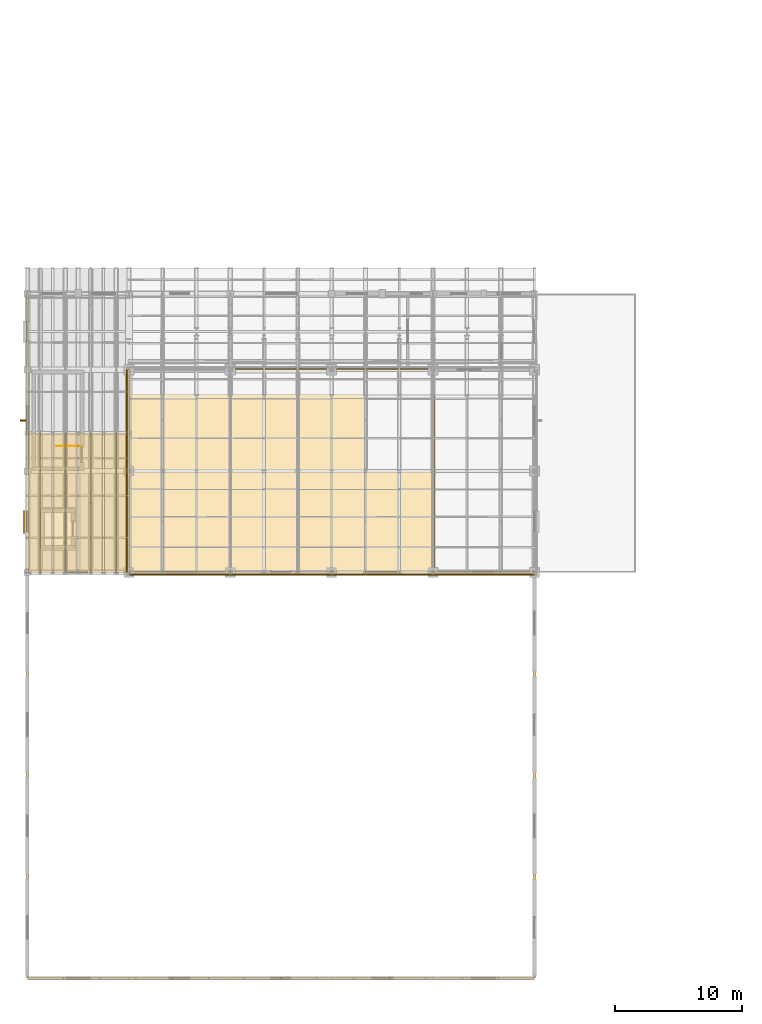
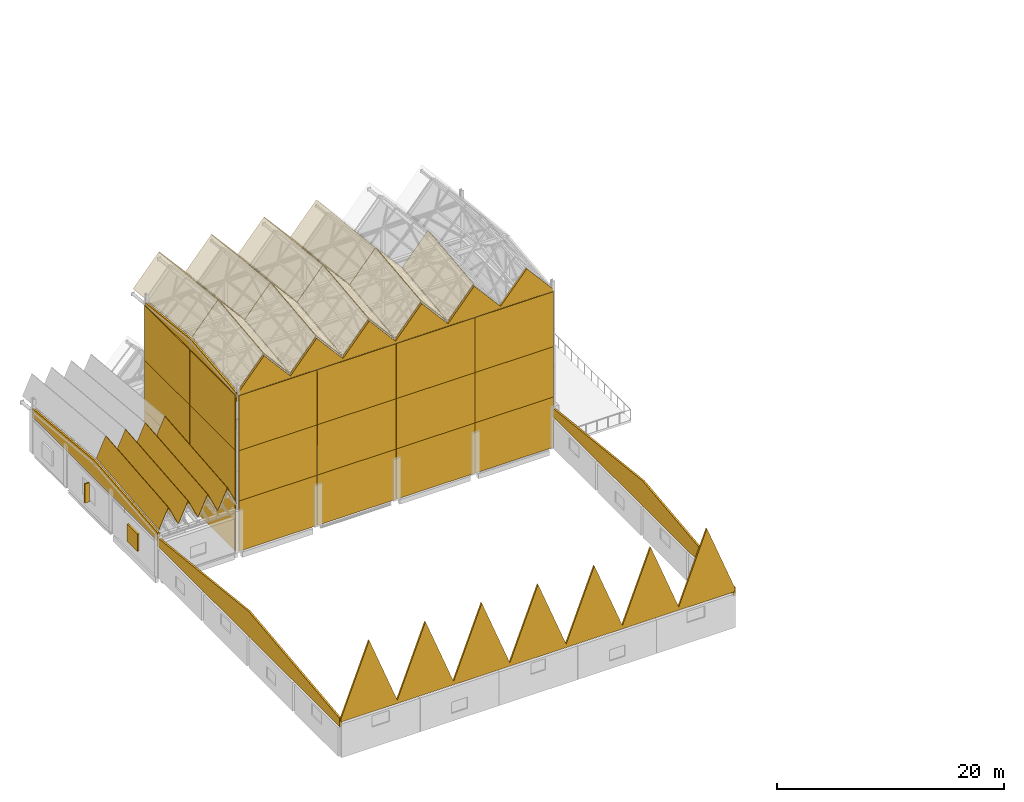
# One storey, part 44 of 48: 48 coverings, 2 railings, 2 shading devices.
"""IFC4 building model written with IfcOpenShell, lengths in metres."""

import ifcopenshell
import ifcopenshell.guid

model = None  # the IFC model being written
_history = None  # IfcOwnerHistory: only IFC2X3 demands one
_inside = {}  # id of a spatial element -> (the spatial element, [elements in it])
_under = {}  # id of a project, library or spatial element -> (it, [spatial elements below it])
_declared = {}  # id of a project -> (the project, [libraries it declares])
_typed = {}  # id of a type object -> (the type object, [elements of that type])
_made_of = {}  # id of a material, layer set ... -> (it, [elements and type objects made of it])


def new_model(schema):
    """Start an empty IFC model of exactly this schema.

    Asked for "IFC4X3", IfcOpenShell would pick the latest addendum, in which some entities
    have other attributes; the version numbers below select the first issue.
    IFC2X3 requires an IfcOwnerHistory on every rooted entity: one is made here for all.
    """
    global model, _history
    if schema == "IFC4X3":
        model = ifcopenshell.file(schema_version=(4, 3, 0, 0))
    else:
        model = ifcopenshell.file(schema=schema)
    _inside.clear()
    _under.clear()
    _declared.clear()
    _typed.clear()
    _made_of.clear()
    _history = None
    if model.schema == "IFC2X3":
        org = make("IfcOrganization", Name="unknown")
        user = make(
            "IfcPersonAndOrganization",
            ThePerson=make("IfcPerson", FamilyName="unknown"),
            TheOrganization=org,
        )
        app = make(
            "IfcApplication",
            ApplicationDeveloper=org,
            Version="unknown",
            ApplicationFullName="unknown",
            ApplicationIdentifier="unknown",
        )
        _history = make(
            "IfcOwnerHistory",
            OwningUser=user,
            OwningApplication=app,
            ChangeAction="ADDED",
            CreationDate=0,
        )
    return model


def make(cls, **values):
    """One entity of the class cls with the attributes given. An attribute that is None is left unset."""
    return model.create_entity(
        cls, **{name: value for name, value in values.items() if value is not None}
    )


def rooted(cls, **values):
    """An entity with a GlobalId (a new one), such as an element, a storey or a relation."""
    return make(cls, GlobalId=ifcopenshell.guid.new(), OwnerHistory=_history, **values)


def si_unit(unit_type, name, prefix=None):
    """IfcSIUnit, for example si_unit("LENGTHUNIT", "METRE", prefix="MILLI")."""
    return make("IfcSIUnit", UnitType=unit_type, Prefix=prefix, Name=name)


def assignment(units):
    """IfcUnitAssignment: the units of a project."""
    return None if units is None else make("IfcUnitAssignment", Units=units)


def point(xyz):
    """IfcCartesianPoint."""
    return None if xyz is None else make("IfcCartesianPoint", Coordinates=xyz)


def direction(xyz):
    """IfcDirection."""
    return None if xyz is None else make("IfcDirection", DirectionRatios=xyz)


def frame(location, z_axis=None, x_axis=None):
    """IfcAxis2Placement3D, a coordinate frame: its origin and axes. An axis left out is left unset."""
    return make(
        "IfcAxis2Placement3D",
        Location=point(location),
        Axis=direction(z_axis),
        RefDirection=direction(x_axis),
    )


def frame_2d(location, x_axis=None):
    """IfcAxis2Placement2D, a coordinate frame in the plane: its origin and x axis."""
    return make(
        "IfcAxis2Placement2D", Location=point(location), RefDirection=direction(x_axis)
    )


def origin():
    """The frame at (0, 0, 0) with its axes left unset."""
    return frame((0.0, 0.0, 0.0))


def origin_2d():
    """The frame at (0, 0) in the plane with its x axis left unset."""
    return frame_2d((0.0, 0.0))


def place(relative_to, where):
    """IfcLocalPlacement: puts the frame where relative to a parent placement (None: the world)."""
    return make(
        "IfcLocalPlacement", PlacementRelTo=relative_to, RelativePlacement=where
    )


def context(
    kind, dimensions, precision=None, world=None, true_north=None, identifier=None
):
    """IfcGeometricRepresentationContext, for example the 3D "Model" context."""
    return make(
        "IfcGeometricRepresentationContext",
        ContextIdentifier=identifier,
        ContextType=kind,
        CoordinateSpaceDimension=dimensions,
        Precision=precision,
        WorldCoordinateSystem=world,
        TrueNorth=true_north,
    )


def subcontext(parent, identifier, kind, view, scale=None):
    """IfcGeometricRepresentationSubContext, for example "Body" below "Model"."""
    return make(
        "IfcGeometricRepresentationSubContext",
        ContextIdentifier=identifier,
        ContextType=kind,
        ParentContext=parent,
        TargetScale=scale,
        TargetView=view,
    )


def project(units=None, contexts=None):
    """IfcProject with its units and contexts."""
    return rooted(
        "IfcProject",
        Name="project",
        RepresentationContexts=contexts,
        UnitsInContext=assignment(units),
    )


def spatial(cls, under=None, at=None, **own):
    """A site, building, storey or space (cls), placed at a placement, below another one or the project."""
    s = rooted(cls, ObjectPlacement=at, **own)
    if under is not None:
        _under.setdefault(under.id(), (under, []))[1].append(s)
    return s


def polyline(points):
    """IfcPolyline through the points."""
    return make("IfcPolyline", Points=[point(p) for p in points])


def profile(cls, at=None, kind="AREA", **sizes):
    """A parametric profile (cls). Its sizes go by their IFC names, for example OverallWidth=200.0."""
    return make(cls, ProfileType=kind, Position=at, **sizes)


def rectangle(**sizes):
    """IfcRectangleProfileDef."""
    return profile("IfcRectangleProfileDef", **sizes)


def circle(**sizes):
    """IfcCircleProfileDef."""
    return profile("IfcCircleProfileDef", **sizes)


def outline(outer, holes=None, kind="AREA"):
    """IfcArbitraryClosedProfileDef: a profile drawn as a closed curve; with holes, ...WithVoids."""
    if holes is None:
        return make("IfcArbitraryClosedProfileDef", ProfileType=kind, OuterCurve=outer)
    return make(
        "IfcArbitraryProfileDefWithVoids",
        ProfileType=kind,
        OuterCurve=outer,
        InnerCurves=holes,
    )


def extrude(swept, where, along, depth):
    """IfcExtrudedAreaSolid: the profile swept, set in the frame where, extruded along a direction by depth."""
    return make(
        "IfcExtrudedAreaSolid",
        SweptArea=swept,
        Position=where,
        ExtrudedDirection=direction(along),
        Depth=depth,
    )


def shape(context_of_items, identifier, shape_type, items):
    """IfcShapeRepresentation: the items that make up one representation, for example the "Body"."""
    return make(
        "IfcShapeRepresentation",
        ContextOfItems=context_of_items,
        RepresentationIdentifier=identifier,
        RepresentationType=shape_type,
        Items=items,
    )


def material(Name=None, Category=None):
    """IfcMaterial."""
    return make("IfcMaterial", Name=Name, Category=Category)


def layer(
    of_material, thickness, ventilated=None, Name=None, Category=None, Priority=None
):
    """IfcMaterialLayer: one layer of a wall or slab, of a material (None: an air gap)."""
    return make(
        "IfcMaterialLayer",
        Material=of_material,
        LayerThickness=thickness,
        IsVentilated=ventilated,
        Name=Name,
        Category=Category,
        Priority=Priority,
    )


def layer_set(layers, Name=None):
    """IfcMaterialLayerSet."""
    return make("IfcMaterialLayerSet", MaterialLayers=layers, LayerSetName=Name)


def made_of(thing, what):
    """Note that an element or type object is made of a material, layer set ...; save() writes the relation."""
    if what is not None:
        _made_of.setdefault(what.id(), (what, []))[1].append(thing)
    return thing


def type_object(cls, material=None, **own):
    """A type object (cls), such as IfcWallType, which elements share."""
    return made_of(rooted(cls, **own), material)


def element(
    cls,
    number,
    at=None,
    inside=None,
    cuts=None,
    type_object=None,
    material=None,
    context=None,
    identifier="Body",
    shape_type=None,
    held_by="IfcProductDefinitionShape",
    body=None,
    shapes=None,
    **own,
):
    """One element of the class cls, such as IfcWall. Its Tag is "e" and its number.

    at: its placement. inside: the storey or other place that contains it. cuts: it is an
    opening in that element (IfcRelVoidsElement). A single representation is given by context,
    identifier, shape_type and body (its items); several are given by shapes. held_by: the class
    of the entity that holds the representations. save() writes the other relations.
    """
    e = rooted(cls, Tag="e%d" % number, ObjectPlacement=at, **own)
    if body is not None:
        shapes = [shape(context, identifier, shape_type, body)]
    if shapes is not None:
        e.Representation = make(held_by, Representations=shapes)
    if inside is not None:
        _inside.setdefault(inside.id(), (inside, []))[1].append(e)
    if cuts is not None:
        rooted(
            "IfcRelVoidsElement", RelatingBuildingElement=cuts, RelatedOpeningElement=e
        )
    if type_object is not None:
        _typed.setdefault(type_object.id(), (type_object, []))[1].append(e)
    return made_of(e, material)


def aggregate(whole, parts):
    """IfcRelAggregates: a whole, such as a stair, and the parts it consists of."""
    return rooted("IfcRelAggregates", RelatingObject=whole, RelatedObjects=parts)


def save(model, path):
    """Write the relations noted so far, then the file.

    IfcRelAggregates (storeys below a building ...), IfcRelContainedInSpatialStructure (elements
    in a storey), IfcRelDefinesByType, IfcRelAssociatesMaterial and IfcRelDeclares: one each for
    every whole, place, type object, material and project.
    """
    for whole, parts in _under.values():
        aggregate(whole, parts)
    for where, things in _inside.values():
        rooted(
            "IfcRelContainedInSpatialStructure",
            RelatedElements=things,
            RelatingStructure=where,
        )
    for kind, things in _typed.values():
        rooted("IfcRelDefinesByType", RelatedObjects=things, RelatingType=kind)
    for what, things in _made_of.values():
        rooted("IfcRelAssociatesMaterial", RelatedObjects=things, RelatingMaterial=what)
    for by, libraries in _declared.values():
        rooted("IfcRelDeclares", RelatingContext=by, RelatedDefinitions=libraries)
    model.write(path)


model = new_model("IFC4")

# Units and contexts
model_context = context("Model", 3, precision=1e-05, world=origin(), true_north=direction((0.0, 1.0)))
body_context = subcontext(model_context, "Body", "Model", "MODEL_VIEW")
ifc_project = project(units=[si_unit("LENGTHUNIT", "METRE"), si_unit("AREAUNIT", "SQUARE_METRE"), si_unit("VOLUMEUNIT", "CUBIC_METRE"), si_unit("PLANEANGLEUNIT", "RADIAN"), si_unit("MASSUNIT", "GRAM", prefix="KILO")], contexts=[model_context])

# Site, building, storey
site_placement = place(None, origin())
site = spatial("IfcSite", under=ifc_project, at=site_placement, CompositionType="ELEMENT")
building_placement = place(site_placement, origin())
building = spatial("IfcBuilding", under=site, at=building_placement, Name="Luwemba Playhouse", CompositionType="ELEMENT")
storey_placement = place(building_placement, frame((0.0, 0.0, 13.800048828125)))
storey = spatial("IfcBuildingStorey", under=building, at=storey_placement, Name="L03", CompositionType="ELEMENT", Elevation=13.800048828125)

# Coverings
ifc_material_1 = material(Name="Ventilated glazed terracotta rainscreen cladding", Category="masonry")
ifc_layer_1 = layer(ifc_material_1, 0.080078125)
ifc_layer_set_1 = layer_set([ifc_layer_1], Name="Ventilated glazed terracotta rainscreen cladding")
covering_type_1 = type_object("IfcCoveringType", Name="COV-CLAD-TERRA", PredefinedType="CLADDING", material=ifc_layer_set_1)
for number, where, z_axis, x_axis, name in (
    (1, (16.0, 67.820068359375, 0.0), (0.0, 0.0, 1.0), (1.0, 0.0, 0.0), "Fly tower terracotta acoustic cladding 001"),
    (2, (24.0, 67.820068359375, 0.0), (0.0, 0.0, 1.0), (1.0, 0.0, 0.0), "Fly tower terracotta acoustic cladding 002"),
    (3, (32.0, 67.820068359375, 0.0), (0.0, 0.0, 1.0), (1.0, 0.0, 0.0), "Fly tower terracotta acoustic cladding 003"),
    (4, (40.0, 67.820068359375, 0.0), (0.0, 0.0, 1.0), (1.0, 0.0, 0.0), "Fly tower terracotta acoustic cladding 004"),
    (5, (11.820068359375, 72.0, 0.0), (0.0, 0.0, 1.0), (0.0, 1.0, 0.0), "Fly tower side terracotta cladding 009"),
    (6, (11.820068359375, 80.0, 0.0), (0.0, 0.0, 1.0), (0.0, 1.0, 0.0), "Fly tower side terracotta cladding 010"),
    (7, (16.0, 67.820068359375, 5.39990234375), (0.0, 0.0, 1.0), (1.0, 0.0, 0.0), "Fly tower terracotta acoustic cladding 013"),
    (8, (24.0, 67.820068359375, 5.39990234375), (0.0, 0.0, 1.0), (1.0, 0.0, 0.0), "Fly tower terracotta acoustic cladding 014"),
    (9, (32.0, 67.820068359375, 5.39990234375), (0.0, 0.0, 1.0), (1.0, 0.0, 0.0), "Fly tower terracotta acoustic cladding 015"),
    (10, (40.0, 67.820068359375, 5.39990234375), (0.0, 0.0, 1.0), (1.0, 0.0, 0.0), "Fly tower terracotta acoustic cladding 016"),
    (11, (11.820068359375, 72.0, 5.39990234375), (0.0, 0.0, 1.0), (0.0, 1.0, 0.0), "Fly tower side terracotta cladding 021"),
    (12, (11.820068359375, 80.0, 5.39990234375), (0.0, 0.0, 1.0), (0.0, 1.0, 0.0), "Fly tower side terracotta cladding 022"),
):
    element("IfcCovering", number, at=place(storey_placement, frame(where, z_axis=z_axis, x_axis=x_axis)), inside=storey, type_object=covering_type_1, Name=name, PredefinedType="CLADDING", context=body_context, shape_type="SweptSolid", body=[
        extrude(rectangle(XDim=7.9599609375, YDim=0.080078125, at=origin_2d()), origin(), (0.0, 0.0, 1.0), 5.39990234375),
    ])
for number, where, z_axis, x_axis, name in (
    (13, (16.0, 67.820068359375, 10.800048828125), (0.0, 0.0, 1.0), (1.0, 0.0, 0.0), "Fly tower terracotta acoustic cladding 025"),
    (14, (24.0, 67.820068359375, 10.800048828125), (0.0, 0.0, 1.0), (1.0, 0.0, 0.0), "Fly tower terracotta acoustic cladding 026"),
    (15, (32.0, 67.820068359375, 10.800048828125), (0.0, 0.0, 1.0), (1.0, 0.0, 0.0), "Fly tower terracotta acoustic cladding 027"),
    (16, (40.0, 67.820068359375, 10.800048828125), (0.0, 0.0, 1.0), (1.0, 0.0, 0.0), "Fly tower terracotta acoustic cladding 028"),
    (17, (11.820068359375, 72.0, 10.800048828125), (0.0, 0.0, 1.0), (0.0, 1.0, 0.0), "Fly tower side terracotta cladding 033"),
    (18, (11.820068359375, 80.0, 10.800048828125), (0.0, 0.0, 1.0), (0.0, 1.0, 0.0), "Fly tower side terracotta cladding 034"),
):
    element("IfcCovering", number, at=place(storey_placement, frame(where, z_axis=z_axis, x_axis=x_axis)), inside=storey, type_object=covering_type_1, Name=name, PredefinedType="CLADDING", context=body_context, shape_type="SweptSolid", body=[
        extrude(rectangle(XDim=7.9599609375, YDim=0.080078125, at=origin_2d()), origin(), (0.0, 0.0, 1.0), 5.89990234375),
    ])
ifc_material_2 = material(Name="Glazed terracotta clay roof tile", Category="masonry")
ifc_layer_2 = layer(ifc_material_2, 0.06494140625)
ifc_layer_set_2 = layer_set([ifc_layer_2], Name="Glazed terracotta clay roof tile")
covering_type_2 = type_object("IfcCoveringType", Name="COV-ROOF-TILE", PredefinedType="ROOFING", material=ifc_layer_set_2)
covering_1_placement = place(storey_placement, frame((12.02490234375, 68.0, 17.155029296875), z_axis=(-0.7563792078, -0.072905360855, 0.650057922316), x_axis=(0.651792431039, 0.0, 0.758397406931)))
element("IfcCovering", 19, at=covering_1_placement, inside=storey, type_object=covering_type_2, Name="RF-V2-FLY glazed clay-tile roofing 1S", PredefinedType="ROOFING", context=body_context, shape_type="SweptSolid", body=[
    extrude(outline(polyline([(0.0, 0.0), (4.014620443778682, 0.0), (4.695067335983858, 8.021345897508905), (0.6804468922051762, 8.021345897508905), (0.0, 0.0)])), origin(), (0.0, 0.0, -1.0), 0.06494140625),
])
covering_2_placement = place(storey_placement, frame((12.02490234375, 76.0, 18.05224609375), z_axis=(-0.756378749266, 0.072913631389, 0.650057528236), x_axis=(0.651792431039, 0.0, 0.758397406931)))
element("IfcCovering", 20, at=covering_2_placement, inside=storey, type_object=covering_type_2, Name="RF-V2-FLY glazed clay-tile roofing 1N", PredefinedType="ROOFING", context=body_context, shape_type="SweptSolid", body=[
    extrude(outline(polyline([(0.0, 0.0), (4.014620443778682, 0.0), (3.12994690610349, 10.427658071425746), (-0.8846735376751924, 10.427658071425745), (0.0, 0.0)])), origin(), (0.0, 0.0, -1.0), 0.06494140625),
])
covering_3_placement = place(storey_placement, frame((14.691650390625, 68.0, 20.199462890625), z_axis=(0.756352159839, -0.072928439101, 0.650086804263), x_axis=(0.651822492795, 0.0, -0.758371569804)))
element("IfcCovering", 21, at=covering_3_placement, inside=storey, type_object=covering_type_2, Name="RF-V2-FLY glazed clay-tile roofing 2S", PredefinedType="ROOFING", context=body_context, shape_type="SweptSolid", body=[
    extrude(outline(polyline([(0.0, 0.0), (4.014435291315629, 0.0), (3.333826431306345, 8.02135946794652), (-0.6806088600092842, 8.021359467946517), (0.0, 0.0)])), origin(), (0.0, 0.0, -1.0), 0.06494140625),
])
covering_4_placement = place(storey_placement, frame((14.691650390625, 76.0, 21.096923828125), z_axis=(0.756352795447, 0.072916976408, 0.65008735057), x_axis=(0.651822492795, 0.0, -0.758371569804)))
element("IfcCovering", 22, at=covering_4_placement, inside=storey, type_object=covering_type_2, Name="RF-V2-FLY glazed clay-tile roofing 2N", PredefinedType="ROOFING", context=body_context, shape_type="SweptSolid", body=[
    extrude(outline(polyline([(0.0, 0.0), (4.014435291315629, 0.0), (4.899078689880471, 10.427660628358066), (0.8846433985648422, 10.427660628358066), (0.0, 0.0)])), origin(), (0.0, 0.0, -1.0), 0.06494140625),
])
covering_5_placement = place(storey_placement, frame((17.3583984375, 68.0, 17.155029296875), z_axis=(-0.756365684319, -0.072916899741, 0.650072363139), x_axis=(0.651807541617, -1.44137e-06, 0.758384420126)))
element("IfcCovering", 23, at=covering_5_placement, inside=storey, type_object=covering_type_2, Name="RF-V2-FLY glazed clay-tile roofing 3S", PredefinedType="ROOFING", context=body_context, shape_type="SweptSolid", body=[
    extrude(outline(polyline([(0.0, 0.0), (4.014435290531317, -2.7755575615628914e-17), (4.695044152242199, 8.021359467409614), (0.680423709264562, 8.021347863680276), (0.0, 0.0)])), origin(), (0.0, 0.0, -1.0), 0.06494140625),
])
covering_6_placement = place(storey_placement, frame((17.3583984375, 76.0, 18.05224609375), z_axis=(-0.756378749266, 0.072913631389, 0.650057528236), x_axis=(0.651792431039, 0.0, 0.758397406931)))
element("IfcCovering", 24, at=covering_6_placement, inside=storey, type_object=covering_type_2, Name="RF-V2-FLY glazed clay-tile roofing 3N", PredefinedType="ROOFING", context=body_context, shape_type="SweptSolid", body=[
    extrude(outline(polyline([(0.0, 0.0), (4.014620443778682, 0.0), (3.12994690610349, 10.427658071425746), (-0.8846735376751924, 10.427658071425745), (0.0, 0.0)])), origin(), (0.0, 0.0, -1.0), 0.06494140625),
])
covering_7_placement = place(storey_placement, frame((20.02490234375, 68.0, 20.199462890625), z_axis=(0.756365684319, -0.072916899741, 0.650072363139), x_axis=(0.651807541617, 1.44137e-06, -0.758384420126)))
element("IfcCovering", 25, at=covering_7_placement, inside=storey, type_object=covering_type_2, Name="RF-V2-FLY glazed clay-tile roofing 4S", PredefinedType="ROOFING", context=body_context, shape_type="SweptSolid", body=[
    extrude(outline(polyline([(0.0, 0.0), (4.014435290531317, 2.7755575615628914e-17), (3.334011581266755, 8.021347863680278), (-0.6806088617108816, 8.021359467409614), (0.0, 0.0)])), origin(), (0.0, 0.0, -1.0), 0.06494140625),
])
covering_8_placement = place(storey_placement, frame((20.02490234375, 76.0, 21.096923828125), z_axis=(0.756378749266, 0.072913631389, 0.650057528236), x_axis=(0.651792431039, 0.0, -0.758397406931)))
element("IfcCovering", 26, at=covering_8_placement, inside=storey, type_object=covering_type_2, Name="RF-V2-FLY glazed clay-tile roofing 4N", PredefinedType="ROOFING", context=body_context, shape_type="SweptSolid", body=[
    extrude(outline(polyline([(0.0, 0.0), (4.014620443778682, 0.0), (4.899293981453875, 10.427658071425745), (0.8846735376751924, 10.427658071425745), (0.0, 0.0)])), origin(), (0.0, 0.0, -1.0), 0.06494140625),
])
covering_9_placement = place(storey_placement, frame((22.691650390625, 68.0, 17.155029296875), z_axis=(-0.756352159839, -0.072928439101, 0.650086804263), x_axis=(0.651822492795, 0.0, 0.758371569804)))
element("IfcCovering", 27, at=covering_9_placement, inside=storey, type_object=covering_type_2, Name="RF-V2-FLY glazed clay-tile roofing 5S", PredefinedType="ROOFING", context=body_context, shape_type="SweptSolid", body=[
    extrude(outline(polyline([(0.0, 0.0), (4.014435291315629, 0.0), (4.695044151324913, 8.02135946794652), (0.6806088600092842, 8.021359467946517), (0.0, 0.0)])), origin(), (0.0, 0.0, -1.0), 0.06494140625),
])
covering_10_placement = place(storey_placement, frame((22.691650390625, 76.0, 18.052490234375), z_axis=(-0.756352795447, 0.072916976408, 0.65008735057), x_axis=(0.651822492795, 0.0, 0.758371569804)))
element("IfcCovering", 28, at=covering_10_placement, inside=storey, type_object=covering_type_2, Name="RF-V2-FLY glazed clay-tile roofing 5N", PredefinedType="ROOFING", context=body_context, shape_type="SweptSolid", body=[
    extrude(outline(polyline([(0.0, 0.0), (4.014435291315629, 0.0), (3.129791892750787, 10.427660628358066), (-0.8846433985648422, 10.427660628358066), (0.0, 0.0)])), origin(), (0.0, 0.0, -1.0), 0.06494140625),
])
covering_11_placement = place(storey_placement, frame((25.3583984375, 68.0, 20.19970703125), z_axis=(0.7563792078, -0.072905360855, 0.650057922316), x_axis=(0.651792431039, 0.0, -0.758397406931)))
element("IfcCovering", 29, at=covering_11_placement, inside=storey, type_object=covering_type_2, Name="RF-V2-FLY glazed clay-tile roofing 6S", PredefinedType="ROOFING", context=body_context, shape_type="SweptSolid", body=[
    extrude(outline(polyline([(0.0, 0.0), (4.014620443778682, 0.0), (3.334173551573506, 8.021345897508905), (-0.6804468922051762, 8.021345897508905), (0.0, 0.0)])), origin(), (0.0, 0.0, -1.0), 0.06494140625),
])
covering_12_placement = place(storey_placement, frame((25.3583984375, 76.0, 21.096923828125), z_axis=(0.756378749266, 0.072913631389, 0.650057528236), x_axis=(0.651792431039, 0.0, -0.758397406931)))
element("IfcCovering", 30, at=covering_12_placement, inside=storey, type_object=covering_type_2, Name="RF-V2-FLY glazed clay-tile roofing 6N", PredefinedType="ROOFING", context=body_context, shape_type="SweptSolid", body=[
    extrude(outline(polyline([(0.0, 0.0), (4.014620443778682, 0.0), (4.899293981453875, 10.427658071425745), (0.8846735376751924, 10.427658071425745), (0.0, 0.0)])), origin(), (0.0, 0.0, -1.0), 0.06494140625),
])
covering_13_placement = place(storey_placement, frame((28.02490234375, 68.0, 17.155029296875), z_axis=(-0.7563792078, -0.072905360855, 0.650057922316), x_axis=(0.651792431039, 0.0, 0.758397406931)))
element("IfcCovering", 31, at=covering_13_placement, inside=storey, type_object=covering_type_2, Name="RF-V2-FLY glazed clay-tile roofing 7S", PredefinedType="ROOFING", context=body_context, shape_type="SweptSolid", body=[
    extrude(outline(polyline([(0.0, 0.0), (4.014620443778682, 0.0), (4.695067335983858, 8.021345897508905), (0.6804468922051762, 8.021345897508905), (0.0, 0.0)])), origin(), (0.0, 0.0, -1.0), 0.06494140625),
])
covering_14_placement = place(storey_placement, frame((28.02490234375, 76.0, 18.05224609375), z_axis=(-0.756378749266, 0.072913631389, 0.650057528236), x_axis=(0.651792431039, 0.0, 0.758397406931)))
element("IfcCovering", 32, at=covering_14_placement, inside=storey, type_object=covering_type_2, Name="RF-V2-FLY glazed clay-tile roofing 7N", PredefinedType="ROOFING", context=body_context, shape_type="SweptSolid", body=[
    extrude(outline(polyline([(0.0, 0.0), (4.014620443778682, 0.0), (3.12994690610349, 10.427658071425746), (-0.8846735376751924, 10.427658071425745), (0.0, 0.0)])), origin(), (0.0, 0.0, -1.0), 0.06494140625),
])
covering_15_placement = place(storey_placement, frame((30.691650390625, 68.0, 20.199462890625), z_axis=(0.756352159839, -0.072928439101, 0.650086804263), x_axis=(0.651822492795, 0.0, -0.758371569804)))
element("IfcCovering", 33, at=covering_15_placement, inside=storey, type_object=covering_type_2, Name="RF-V2-FLY glazed clay-tile roofing 8S", PredefinedType="ROOFING", context=body_context, shape_type="SweptSolid", body=[
    extrude(outline(polyline([(0.0, 0.0), (4.014435291315629, 0.0), (3.333826431306345, 8.02135946794652), (-0.6806088600092842, 8.021359467946517), (0.0, 0.0)])), origin(), (0.0, 0.0, -1.0), 0.06494140625),
])
covering_16_placement = place(storey_placement, frame((33.3583984375, 68.0, 17.155029296875), z_axis=(-0.756365684319, -0.072916899741, 0.650072363139), x_axis=(0.651807541617, -1.44137e-06, 0.758384420126)))
element("IfcCovering", 34, at=covering_16_placement, inside=storey, type_object=covering_type_2, Name="RF-V2-FLY glazed clay-tile roofing 9S", PredefinedType="ROOFING", context=body_context, shape_type="SweptSolid", body=[
    extrude(outline(polyline([(0.0, 0.0), (4.014435290531317, -2.7755575615628914e-17), (4.695044152242199, 8.021359467409614), (0.680423709264562, 8.021347863680276), (0.0, 0.0)])), origin(), (0.0, 0.0, -1.0), 0.06494140625),
])
covering_17_placement = place(storey_placement, frame((4.02490234375, 68.0, 4.98046875), z_axis=(-0.907919441019, -0.03884779564, 0.417340553259), x_axis=(0.417655825152, 0.0, 0.908605311296)))
element("IfcCovering", 35, at=covering_17_placement, inside=storey, type_object=covering_type_2, Name="RF-V2-LOW glazed clay-tile roofing 1S", PredefinedType="ROOFING", context=body_context, shape_type="SweptSolid", body=[
    extrude(outline(polyline([(0.0, 0.0), (2.2750677837502145, -6.938893903907228e-18), (3.2054121869673815, 11.00830973841629), (0.9303444032171674, 11.00830973841629), (0.0, 0.0)])), origin(), (0.0, 0.0, -1.0), 0.06494140625),
])
covering_18_placement = place(storey_placement, frame((5.02490234375, 68.0, 7.047607421875), z_axis=(0.907919441019, -0.03884779564, 0.417340553259), x_axis=(0.417655825152, 0.0, -0.908605311296)))
element("IfcCovering", 36, at=covering_18_placement, inside=storey, type_object=covering_type_2, Name="RF-V2-LOW glazed clay-tile roofing 2S", PredefinedType="ROOFING", context=body_context, shape_type="SweptSolid", body=[
    extrude(outline(polyline([(0.0, 0.0), (2.2750677837502145, 6.938893903907228e-18), (1.344723380533047, 11.008309738416292), (-0.9303444032171674, 11.00830973841629), (0.0, 0.0)])), origin(), (0.0, 0.0, -1.0), 0.06494140625),
])
covering_19_placement = place(storey_placement, frame((6.02490234375, 68.0, 4.98046875), z_axis=(-0.907919441019, -0.03884779564, 0.417340553259), x_axis=(0.417655825152, 0.0, 0.908605311296)))
element("IfcCovering", 37, at=covering_19_placement, inside=storey, type_object=covering_type_2, Name="RF-V2-LOW glazed clay-tile roofing 3S", PredefinedType="ROOFING", context=body_context, shape_type="SweptSolid", body=[
    extrude(outline(polyline([(0.0, 0.0), (2.2750677837502145, -6.938893903907228e-18), (3.2054121869673815, 11.00830973841629), (0.9303444032171674, 11.00830973841629), (0.0, 0.0)])), origin(), (0.0, 0.0, -1.0), 0.06494140625),
])
covering_20_placement = place(storey_placement, frame((7.02490234375, 68.0, 7.047607421875), z_axis=(0.907919441019, -0.03884779564, 0.417340553259), x_axis=(0.417655825152, 0.0, -0.908605311296)))
element("IfcCovering", 38, at=covering_20_placement, inside=storey, type_object=covering_type_2, Name="RF-V2-LOW glazed clay-tile roofing 4S", PredefinedType="ROOFING", context=body_context, shape_type="SweptSolid", body=[
    extrude(outline(polyline([(0.0, 0.0), (2.2750677837502145, 6.938893903907228e-18), (1.344723380533047, 11.008309738416292), (-0.9303444032171674, 11.00830973841629), (0.0, 0.0)])), origin(), (0.0, 0.0, -1.0), 0.06494140625),
])
covering_21_placement = place(storey_placement, frame((8.02490234375, 68.0, 4.98046875), z_axis=(-0.907919441019, -0.03884779564, 0.417340553259), x_axis=(0.417655825152, 0.0, 0.908605311296)))
element("IfcCovering", 39, at=covering_21_placement, inside=storey, type_object=covering_type_2, Name="RF-V2-LOW glazed clay-tile roofing 5S", PredefinedType="ROOFING", context=body_context, shape_type="SweptSolid", body=[
    extrude(outline(polyline([(0.0, 0.0), (2.2750677837502145, -6.938893903907228e-18), (3.2054121869673815, 11.00830973841629), (0.9303444032171674, 11.00830973841629), (0.0, 0.0)])), origin(), (0.0, 0.0, -1.0), 0.06494140625),
])
covering_22_placement = place(storey_placement, frame((9.02490234375, 68.0, 7.047607421875), z_axis=(0.907919441019, -0.03884779564, 0.417340553259), x_axis=(0.417655825152, 0.0, -0.908605311296)))
element("IfcCovering", 40, at=covering_22_placement, inside=storey, type_object=covering_type_2, Name="RF-V2-LOW glazed clay-tile roofing 6S", PredefinedType="ROOFING", context=body_context, shape_type="SweptSolid", body=[
    extrude(outline(polyline([(0.0, 0.0), (2.2750677837502145, 6.938893903907228e-18), (1.344723380533047, 11.008309738416292), (-0.9303444032171674, 11.00830973841629), (0.0, 0.0)])), origin(), (0.0, 0.0, -1.0), 0.06494140625),
])
covering_23_placement = place(storey_placement, frame((10.02490234375, 68.0, 4.98046875), z_axis=(-0.907919441019, -0.03884779564, 0.417340553259), x_axis=(0.417655825152, 0.0, 0.908605311296)))
element("IfcCovering", 41, at=covering_23_placement, inside=storey, type_object=covering_type_2, Name="RF-V2-LOW glazed clay-tile roofing 7S", PredefinedType="ROOFING", context=body_context, shape_type="SweptSolid", body=[
    extrude(outline(polyline([(0.0, 0.0), (2.2750677837502145, -6.938893903907228e-18), (3.2054121869673815, 11.00830973841629), (0.9303444032171674, 11.00830973841629), (0.0, 0.0)])), origin(), (0.0, 0.0, -1.0), 0.06494140625),
])
covering_24_placement = place(storey_placement, frame((11.02490234375, 68.0, 7.047607421875), z_axis=(0.907919441019, -0.03884779564, 0.417340553259), x_axis=(0.417655825152, 0.0, -0.908605311296)))
element("IfcCovering", 42, at=covering_24_placement, inside=storey, type_object=covering_type_2, Name="RF-V2-LOW glazed clay-tile roofing 8S", PredefinedType="ROOFING", context=body_context, shape_type="SweptSolid", body=[
    extrude(outline(polyline([(0.0, 0.0), (2.2750677837502145, 6.938893903907228e-18), (1.344723380533047, 11.008309738416292), (-0.9303444032171674, 11.00830973841629), (0.0, 0.0)])), origin(), (0.0, 0.0, -1.0), 0.06494140625),
])
ifc_material_3 = material(Name="Structural timber GL24h gable wall infill", Category="wood")
ifc_layer_3 = layer(ifc_material_3, 0.179931640625)
ifc_layer_set_3 = layer_set([ifc_layer_3], Name="Structural timber GL24h gable wall infill")
covering_type_3 = type_object("IfcCoveringType", Name="COV-TIM-TYMP", PredefinedType="CLADDING", material=ifc_layer_set_3)
covering_25_placement = place(storey_placement, frame((44.0, 36.0, 3.820068359375), z_axis=(0.0, 0.0, 1.0), x_axis=(-1.0, 0.0, 0.0)))
element("IfcCovering", 43, at=covering_25_placement, inside=storey, type_object=covering_type_3, Name="RF-V1 south pleated timber fold wall 001", PredefinedType="CLADDING", context=body_context, shape_type="SweptSolid", body=[
    extrude(outline(polyline([(0.0, 0.0), (40.0, 0.0), (40.0, 0.35498046875), (37.142822265625, 7.76025390625), (34.28564453125, 0.35498046875), (31.4287109375, 7.76025390625), (28.5712890625, 0.35498046875), (25.71435546875, 7.76025390625), (22.857177734375, 0.35498046875), (20.0, 7.76025390625), (17.142822265625, 0.354736328125), (14.28564453125, 7.76025390625), (11.4287109375, 0.354736328125), (8.5712890625, 7.760009765625), (5.71435546875, 0.35498046875), (2.857177734375, 7.760009765625), (0.0, 0.35498046875), (0.0, 0.0)])), frame((0.0, 0.08984375, 0.0), z_axis=(0.0, -1.0, 0.0), x_axis=(1.0, 0.0, 0.0)), (0.0, 0.0, 1.0), 0.179931640625),
])
for number, where, z_axis, x_axis, name in (
    (44, (4.0, 36.0, 3.280029296875), (0.0, 0.0, 1.0), (0.0, 1.0, 0.0), "RF-V1 west timber gable infill 002"),
    (45, (44.0, 68.0, 3.280029296875), (0.0, 0.0, 1.0), (0.0, -1.0, 0.0), "RF-V1 east timber gable infill 003"),
):
    element("IfcCovering", number, at=place(storey_placement, frame(where, z_axis=z_axis, x_axis=x_axis)), inside=storey, type_object=covering_type_3, Name=name, PredefinedType="CLADDING", context=body_context, shape_type="SweptSolid", body=[
        extrude(outline(polyline([(0.0, 0.0), (32.0, 0.0), (32.0, 0.89501953125), (16.0, 2.689697265625), (0.0, 0.89501953125), (0.0, 0.0)])), frame((0.0, 0.08984375, 0.0), z_axis=(0.0, -1.0, 0.0), x_axis=(1.0, 0.0, 0.0)), (0.0, 0.0, 1.0), 0.179931640625),
    ])
covering_26_placement = place(storey_placement, frame((44.0, 68.0, 16.52001953125), z_axis=(0.0, 0.0, 1.0), x_axis=(-1.0, 0.0, 0.0)))
element("IfcCovering", 46, at=covering_26_placement, inside=storey, type_object=covering_type_3, Name="RF-V2-FLY south pleated timber fold wall 004", PredefinedType="CLADDING", context=body_context, shape_type="SweptSolid", body=[
    extrude(outline(polyline([(0.0, 0.0), (32.0, 0.0), (32.0, 0.375), (29.333251953125, 3.4775390625), (26.666748046875, 0.375), (24.0, 3.4775390625), (21.333251953125, 0.375), (18.666748046875, 3.4775390625), (16.0, 0.375), (13.333251953125, 3.4775390625), (10.666748046875, 0.375), (8.0, 3.4775390625), (5.333251953125, 0.375), (2.666748046875, 3.4775390625), (0.0, 0.375), (0.0, 0.0)])), frame((0.0, 0.08984375, 0.0), z_axis=(0.0, -1.0, 0.0), x_axis=(1.0, 0.0, 0.0)), (0.0, 0.0, 1.0), 0.179931640625),
])
covering_27_placement = place(storey_placement, frame((12.0, 68.0, 15.97998046875), z_axis=(0.0, 0.0, 1.0), x_axis=(0.0, 1.0, 0.0)))
element("IfcCovering", 47, at=covering_27_placement, inside=storey, type_object=covering_type_3, Name="RF-V2-FLY west timber gable infill 006", PredefinedType="CLADDING", context=body_context, shape_type="SweptSolid", body=[
    extrude(outline(polyline([(0.0, 0.0), (16.0, 0.0), (16.0, 0.9150390625), (8.0, 1.812255859375), (0.0, 0.9150390625), (0.0, 0.0)])), frame((0.0, 0.08984375, 0.0), z_axis=(0.0, -1.0, 0.0), x_axis=(1.0, 0.0, 0.0)), (0.0, 0.0, 1.0), 0.179931640625),
])
covering_28_placement = place(storey_placement, frame((4.0, 68.0, 3.780029296875), z_axis=(0.0, 0.0, 1.0), x_axis=(0.0, 1.0, 0.0)))
element("IfcCovering", 48, at=covering_28_placement, inside=storey, type_object=covering_type_3, Name="RF-V2-LOW west timber gable infill 009", PredefinedType="CLADDING", context=body_context, shape_type="SweptSolid", body=[
    extrude(outline(polyline([(0.0, 0.0), (22.0, 0.0), (22.0, 0.9150390625), (11.0, 1.93896484375), (0.0, 0.9150390625), (0.0, 0.0)])), frame((0.0, 0.08984375, 0.0), z_axis=(0.0, -1.0, 0.0), x_axis=(1.0, 0.0, 0.0)), (0.0, 0.0, 1.0), 0.179931640625),
])

# Railings
ifc_material_4 = material(Name="Painted wrought-iron gallery balustrade", Category="steel")
railing_type = type_object("IfcRailingType", Name="RLG-BAL-INT", PredefinedType="BALUSTRADE", material=ifc_material_4)
railing_1_placement = place(storey_placement, frame((8.14990234375, 77.989990234375, 0.0)))
element("IfcRailing", 49, at=railing_1_placement, inside=storey, type_object=railing_type, Name="L03 ST-03 top well guard 1", PredefinedType="BALUSTRADE", context=body_context, shape_type="SweptSolid", body=[
    extrude(circle(Radius=0.02392578125, at=origin_2d()), frame((0.0, 0.0, 1.09619140625), z_axis=(-1.0, 0.0, 0.0), x_axis=(0.0, -1.0, 0.0)), (0.0, 0.0, 1.0), 1.849853515625),
    extrude(circle(Radius=0.02099609375, at=origin_2d()), origin(), (0.0, 0.0, 1.0), 1.072021484375),
    extrude(circle(Radius=0.02099609375, at=origin_2d()), frame((-0.9248046875, 0.0, 0.0)), (0.0, 0.0, 1.0), 1.072021484375),
    extrude(circle(Radius=0.02099609375, at=origin_2d()), frame((-1.849853515625, 0.0, 0.0)), (0.0, 0.0, 1.0), 1.072021484375),
])
railing_2_placement = place(storey_placement, frame((11.949951171875, 68.199951171875, 0.0)))
element("IfcRailing", 50, at=railing_2_placement, inside=storey, type_object=railing_type, Name="L03 V2 gallery void balustrade 005", PredefinedType="BALUSTRADE", context=body_context, shape_type="SweptSolid", body=[
    extrude(circle(Radius=0.02392578125, at=origin_2d()), frame((0.0, 0.0, 1.09619140625), z_axis=(0.0, 1.0, 0.0), x_axis=(-1.0, 0.0, 0.0)), (0.0, 0.0, 1.0), 15.85009765625),
    extrude(circle(Radius=0.02392578125, at=origin_2d()), frame((0.0, 15.85009765625, 1.09619140625), z_axis=(1.0, 0.0, 0.0), x_axis=(0.0, 1.0, 0.0)), (0.0, 0.0, 1.0), 24.10009765625),
    extrude(circle(Radius=0.02392578125, at=origin_2d()), frame((24.10009765625, 15.85009765625, 1.09619140625), z_axis=(0.0, -1.0, 0.0), x_axis=(1.0, 0.0, 0.0)), (0.0, 0.0, 1.0), 15.85009765625),
    extrude(circle(Radius=0.02099609375, at=origin_2d()), origin(), (0.0, 0.0, 1.0), 1.072021484375),
    extrude(circle(Radius=0.02099609375, at=origin_2d()), frame((0.0, 1.132080078125, 0.0)), (0.0, 0.0, 1.0), 1.072021484375),
    extrude(circle(Radius=0.02099609375, at=origin_2d()), frame((0.0, 2.264404296875, 0.0)), (0.0, 0.0, 1.0), 1.072021484375),
    extrude(circle(Radius=0.02099609375, at=origin_2d()), frame((0.0, 3.396484375, 0.0)), (0.0, 0.0, 1.0), 1.072021484375),
    extrude(circle(Radius=0.02099609375, at=origin_2d()), frame((0.0, 4.528564453125, 0.0)), (0.0, 0.0, 1.0), 1.072021484375),
    extrude(circle(Radius=0.02099609375, at=origin_2d()), frame((0.0, 5.66064453125, 0.0)), (0.0, 0.0, 1.0), 1.072021484375),
    extrude(circle(Radius=0.02099609375, at=origin_2d()), frame((0.0, 6.79296875, 0.0)), (0.0, 0.0, 1.0), 1.072021484375),
    extrude(circle(Radius=0.02099609375, at=origin_2d()), frame((0.0, 7.925048828125, 0.0)), (0.0, 0.0, 1.0), 1.072021484375),
    extrude(circle(Radius=0.02099609375, at=origin_2d()), frame((0.0, 9.05712890625, 0.0)), (0.0, 0.0, 1.0), 1.072021484375),
    extrude(circle(Radius=0.02099609375, at=origin_2d()), frame((0.0, 10.189453125, 0.0)), (0.0, 0.0, 1.0), 1.072021484375),
    extrude(circle(Radius=0.02099609375, at=origin_2d()), frame((0.0, 11.321533203125, 0.0)), (0.0, 0.0, 1.0), 1.072021484375),
    extrude(circle(Radius=0.02099609375, at=origin_2d()), frame((0.0, 12.45361328125, 0.0)), (0.0, 0.0, 1.0), 1.072021484375),
    extrude(circle(Radius=0.02099609375, at=origin_2d()), frame((0.0, 13.585693359375, 0.0)), (0.0, 0.0, 1.0), 1.072021484375),
    extrude(circle(Radius=0.02099609375, at=origin_2d()), frame((0.0, 14.718017578125, 0.0)), (0.0, 0.0, 1.0), 1.072021484375),
    extrude(circle(Radius=0.02099609375, at=origin_2d()), frame((0.0, 15.85009765625, 0.0)), (0.0, 0.0, 1.0), 1.072021484375),
    extrude(circle(Radius=0.02099609375, at=origin_2d()), frame((1.147705078125, 15.85009765625, 0.0)), (0.0, 0.0, 1.0), 1.072021484375),
    extrude(circle(Radius=0.02099609375, at=origin_2d()), frame((2.295166015625, 15.85009765625, 0.0)), (0.0, 0.0, 1.0), 1.072021484375),
    extrude(circle(Radius=0.02099609375, at=origin_2d()), frame((3.44287109375, 15.85009765625, 0.0)), (0.0, 0.0, 1.0), 1.072021484375),
    extrude(circle(Radius=0.02099609375, at=origin_2d()), frame((4.590576171875, 15.85009765625, 0.0)), (0.0, 0.0, 1.0), 1.072021484375),
    extrude(circle(Radius=0.02099609375, at=origin_2d()), frame((5.738037109375, 15.85009765625, 0.0)), (0.0, 0.0, 1.0), 1.072021484375),
    extrude(circle(Radius=0.02099609375, at=origin_2d()), frame((6.8857421875, 15.85009765625, 0.0)), (0.0, 0.0, 1.0), 1.072021484375),
    extrude(circle(Radius=0.02099609375, at=origin_2d()), frame((8.033447265625, 15.85009765625, 0.0)), (0.0, 0.0, 1.0), 1.072021484375),
    extrude(circle(Radius=0.02099609375, at=origin_2d()), frame((9.180908203125, 15.85009765625, 0.0)), (0.0, 0.0, 1.0), 1.072021484375),
    extrude(circle(Radius=0.02099609375, at=origin_2d()), frame((10.32861328125, 15.85009765625, 0.0)), (0.0, 0.0, 1.0), 1.072021484375),
    extrude(circle(Radius=0.02099609375, at=origin_2d()), frame((11.476318359375, 15.85009765625, 0.0)), (0.0, 0.0, 1.0), 1.072021484375),
    extrude(circle(Radius=0.02099609375, at=origin_2d()), frame((12.623779296875, 15.85009765625, 0.0)), (0.0, 0.0, 1.0), 1.072021484375),
    extrude(circle(Radius=0.02099609375, at=origin_2d()), frame((13.771484375, 15.85009765625, 0.0)), (0.0, 0.0, 1.0), 1.072021484375),
    extrude(circle(Radius=0.02099609375, at=origin_2d()), frame((14.919189453125, 15.85009765625, 0.0)), (0.0, 0.0, 1.0), 1.072021484375),
    extrude(circle(Radius=0.02099609375, at=origin_2d()), frame((16.066650390625, 15.85009765625, 0.0)), (0.0, 0.0, 1.0), 1.072021484375),
    extrude(circle(Radius=0.02099609375, at=origin_2d()), frame((17.21435546875, 15.85009765625, 0.0)), (0.0, 0.0, 1.0), 1.072021484375),
    extrude(circle(Radius=0.02099609375, at=origin_2d()), frame((18.362060546875, 15.85009765625, 0.0)), (0.0, 0.0, 1.0), 1.072021484375),
    extrude(circle(Radius=0.02099609375, at=origin_2d()), frame((19.509521484375, 15.85009765625, 0.0)), (0.0, 0.0, 1.0), 1.072021484375),
    extrude(circle(Radius=0.02099609375, at=origin_2d()), frame((20.6572265625, 15.85009765625, 0.0)), (0.0, 0.0, 1.0), 1.072021484375),
    extrude(circle(Radius=0.02099609375, at=origin_2d()), frame((21.804931640625, 15.85009765625, 0.0)), (0.0, 0.0, 1.0), 1.072021484375),
    extrude(circle(Radius=0.02099609375, at=origin_2d()), frame((22.952392578125, 15.85009765625, 0.0)), (0.0, 0.0, 1.0), 1.072021484375),
    extrude(circle(Radius=0.02099609375, at=origin_2d()), frame((24.10009765625, 15.85009765625, 0.0)), (0.0, 0.0, 1.0), 1.072021484375),
    extrude(circle(Radius=0.02099609375, at=origin_2d()), frame((24.10009765625, 14.718017578125, 0.0)), (0.0, 0.0, 1.0), 1.072021484375),
    extrude(circle(Radius=0.02099609375, at=origin_2d()), frame((24.10009765625, 13.585693359375, 0.0)), (0.0, 0.0, 1.0), 1.072021484375),
    extrude(circle(Radius=0.02099609375, at=origin_2d()), frame((24.10009765625, 12.45361328125, 0.0)), (0.0, 0.0, 1.0), 1.072021484375),
    extrude(circle(Radius=0.02099609375, at=origin_2d()), frame((24.10009765625, 11.321533203125, 0.0)), (0.0, 0.0, 1.0), 1.072021484375),
    extrude(circle(Radius=0.02099609375, at=origin_2d()), frame((24.10009765625, 10.189453125, 0.0)), (0.0, 0.0, 1.0), 1.072021484375),
    extrude(circle(Radius=0.02099609375, at=origin_2d()), frame((24.10009765625, 9.05712890625, 0.0)), (0.0, 0.0, 1.0), 1.072021484375),
    extrude(circle(Radius=0.02099609375, at=origin_2d()), frame((24.10009765625, 7.925048828125, 0.0)), (0.0, 0.0, 1.0), 1.072021484375),
    extrude(circle(Radius=0.02099609375, at=origin_2d()), frame((24.10009765625, 6.79296875, 0.0)), (0.0, 0.0, 1.0), 1.072021484375),
    extrude(circle(Radius=0.02099609375, at=origin_2d()), frame((24.10009765625, 5.66064453125, 0.0)), (0.0, 0.0, 1.0), 1.072021484375),
    extrude(circle(Radius=0.02099609375, at=origin_2d()), frame((24.10009765625, 4.528564453125, 0.0)), (0.0, 0.0, 1.0), 1.072021484375),
    extrude(circle(Radius=0.02099609375, at=origin_2d()), frame((24.10009765625, 3.396484375, 0.0)), (0.0, 0.0, 1.0), 1.072021484375),
    extrude(circle(Radius=0.02099609375, at=origin_2d()), frame((24.10009765625, 2.264404296875, 0.0)), (0.0, 0.0, 1.0), 1.072021484375),
    extrude(circle(Radius=0.02099609375, at=origin_2d()), frame((24.10009765625, 1.132080078125, 0.0)), (0.0, 0.0, 1.0), 1.072021484375),
    extrude(circle(Radius=0.02099609375, at=origin_2d()), frame((24.10009765625, 0.0, 0.0)), (0.0, 0.0, 1.0), 1.072021484375),
])

# Shading devices
ifc_material_5 = material(Name="Extruded terracotta brise-soleil fin on steel bracket", Category="masonry")
shading_device_type_1 = type_object("IfcShadingDeviceType", Name="SHD-BRISE", PredefinedType="USERDEFINED", material=ifc_material_5)
shading_device_1_placement = place(storey_placement, frame((3.639892578125, 80.0, 0.82470703125), z_axis=(0.0, 0.0, 1.0), x_axis=(0.0, 1.0, 0.0)))
element("IfcShadingDevice", 51, at=shading_device_1_placement, inside=storey, type_object=shading_device_type_1, Name="L03 terracotta brise-soleil fin 069", ObjectType="TERRACOTTA BRISE SOLEIL", PredefinedType="USERDEFINED", context=body_context, shape_type="SweptSolid", body=[
    extrude(rectangle(XDim=0.139892578125, YDim=0.449951171875, at=origin_2d()), origin(), (0.0, 0.0, 1.0), 2.050048828125),
])
ifc_material_6 = material(Name="Kiln-fired terracotta gelosia louvre screen", Category="masonry")
shading_device_type_2 = type_object("IfcShadingDeviceType", Name="SHD-GELOSIA", PredefinedType="JALOUSIE", material=ifc_material_6)
shading_device_2_placement = place(storey_placement, frame((3.72509765625, 72.0, 0.9248046875), z_axis=(0.0, 0.0, 1.0), x_axis=(0.0, 1.0, 0.0)))
element("IfcShadingDevice", 52, at=shading_device_2_placement, inside=storey, type_object=shading_device_type_2, Name="L03 fired-clay gelosia screen 068", PredefinedType="JALOUSIE", context=body_context, shape_type="SweptSolid", body=[
    extrude(rectangle(XDim=1.800048828125, YDim=0.179931640625, at=origin_2d()), origin(), (0.0, 0.0, 1.0), 1.85009765625),
])

save(model, "model.ifc")
